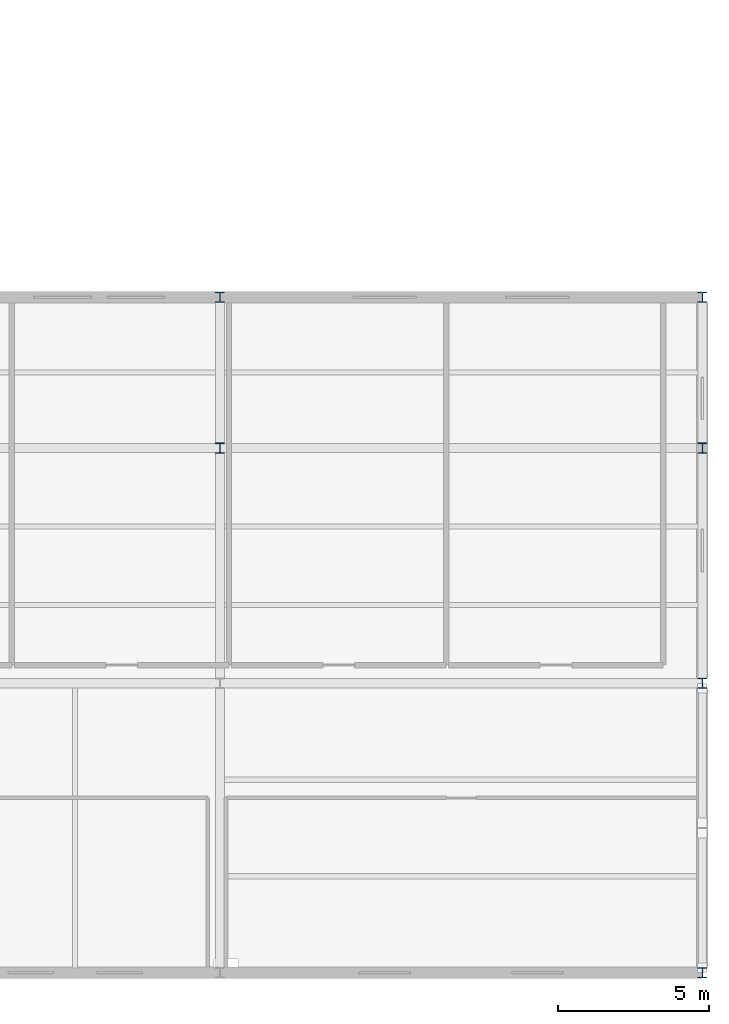
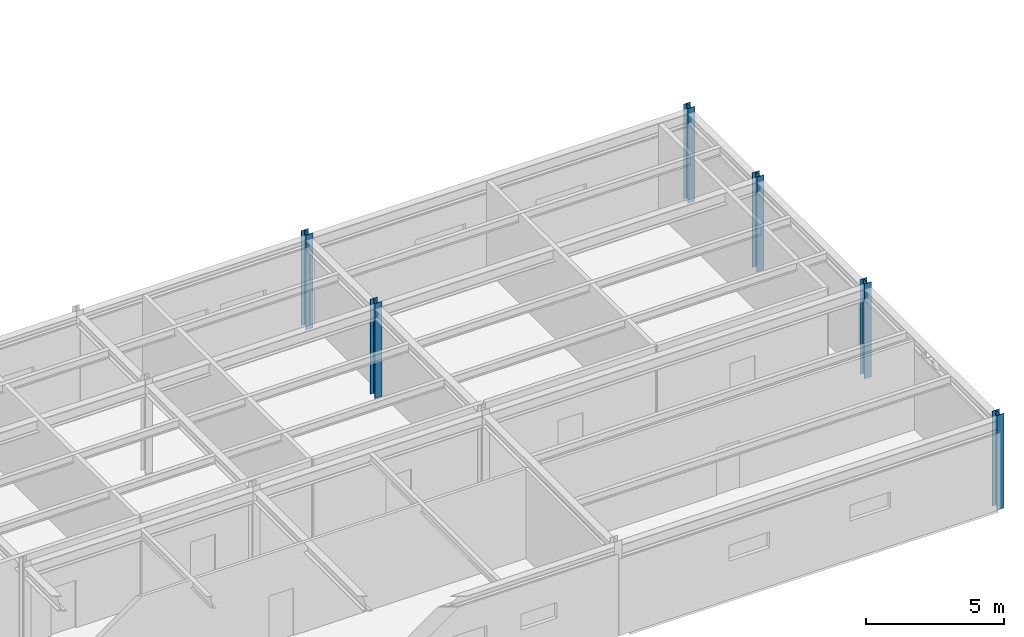
# One storey, part 18 of 99: 6 columns.
"""IFC4 building model written with IfcOpenShell, lengths in metres."""

from ifc_helpers import new_model, si_unit, direction, frame, origin, origin_2d, place, context, subcontext, project, spatial, i_section, extrude, material, material_profile, profile_set, type_object, element, save


model = new_model("IFC4")

# Units and contexts
model_context = context("Model", 3, precision=1e-05, world=origin(), true_north=direction((0.0, 1.0)))
body_context = subcontext(model_context, "Body", "Model", "MODEL_VIEW")
ifc_project = project(units=[si_unit("LENGTHUNIT", "METRE"), si_unit("AREAUNIT", "SQUARE_METRE"), si_unit("VOLUMEUNIT", "CUBIC_METRE"), si_unit("PLANEANGLEUNIT", "RADIAN"), si_unit("MASSUNIT", "GRAM", prefix="KILO")], contexts=[model_context])

# Site, building, storey
site_placement = place(None, origin())
site = spatial("IfcSite", under=ifc_project, at=site_placement, CompositionType="ELEMENT")
building_placement = place(site_placement, origin())
building = spatial("IfcBuilding", under=site, at=building_placement, Name="Nordkorset Police Headquarters", CompositionType="ELEMENT")
storey_placement = place(building_placement, frame((0.0, 0.0, 5.25)))
storey = spatial("IfcBuildingStorey", under=building, at=storey_placement, Name="L01", CompositionType="ELEMENT", Elevation=5.25)

# Columns
ifc_material = material(Name="Steel S355J2", Category="steel")
ifc_material_profile = material_profile(ifc_material, i_section(OverallWidth=0.300048828125, OverallDepth=0.340087890625, WebThickness=0.011962890625, FlangeThickness=0.021484375, FilletRadius=0.027099609375, at=origin_2d()), Name="HEB 340")
ifc_profile_set = profile_set([ifc_material_profile], Name="Steel S355J2")
column_type = type_object("IfcColumnType", Name="Col_HEB_340", PredefinedType="COLUMN", material=ifc_profile_set)
for number, where, z_axis, x_axis, name in (
    (1, (155.199951171875, 22.39990234375, 0.0), (0.0, 0.0, 1.0), (1.0, 0.0, 0.0), "Structural Column V6_N_3 L01"),
    (2, (155.199951171875, 17.39990234375, 0.0), (0.0, 0.0, 1.0), (1.0, 0.0, 0.0), "Structural Column V6_Y2_3 L01"),
    (3, (171.199951171875, 22.39990234375, 0.0), (0.0, 0.0, 1.0), (1.0, 0.0, 0.0), "Structural Column V6_N_4 L01"),
    (4, (171.199951171875, 0.0, 0.0), (0.0, 0.0, 1.0), (1.0, 0.0, 0.0), "Structural Column V6_Y0_4 L01"),
    (5, (171.199951171875, 9.60009765625, 0.0), (0.0, 0.0, 1.0), (1.0, 0.0, 0.0), "Structural Column V6_Y1_4 L01"),
    (6, (171.199951171875, 17.39990234375, 0.0), (0.0, 0.0, 1.0), (1.0, 0.0, 0.0), "Structural Column V6_Y2_4 L01"),
):
    element("IfcColumn", number, at=place(storey_placement, frame(where, z_axis=z_axis, x_axis=x_axis)), inside=storey, type_object=column_type, Name=name, PredefinedType="COLUMN", context=body_context, shape_type="SweptSolid", body=[
        extrude(i_section(OverallWidth=0.300048828125, OverallDepth=0.340087890625, WebThickness=0.011962890625, FlangeThickness=0.021484375, FilletRadius=0.027099609375, at=origin_2d()), origin(), (0.0, 0.0, 1.0), 4.199951171875),
    ])

save(model, "model.ifc")
